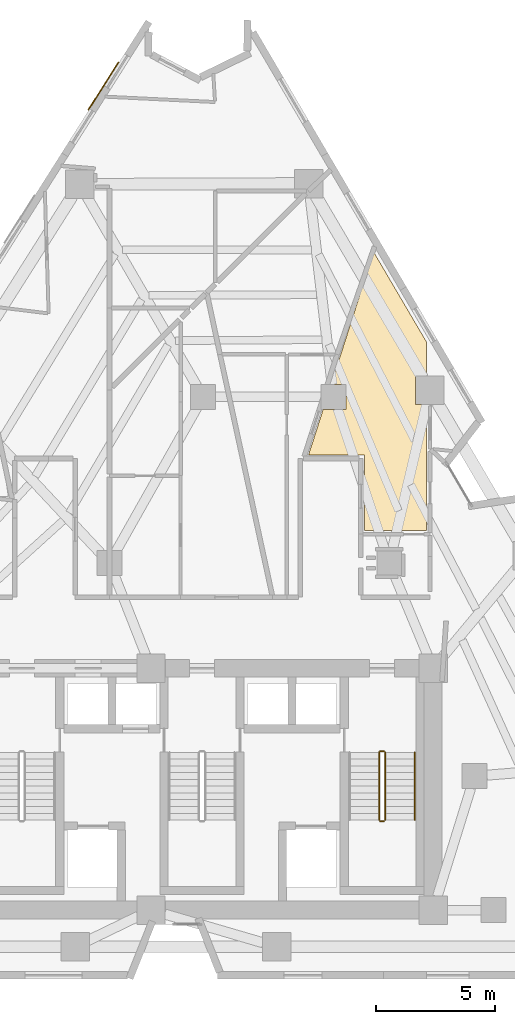
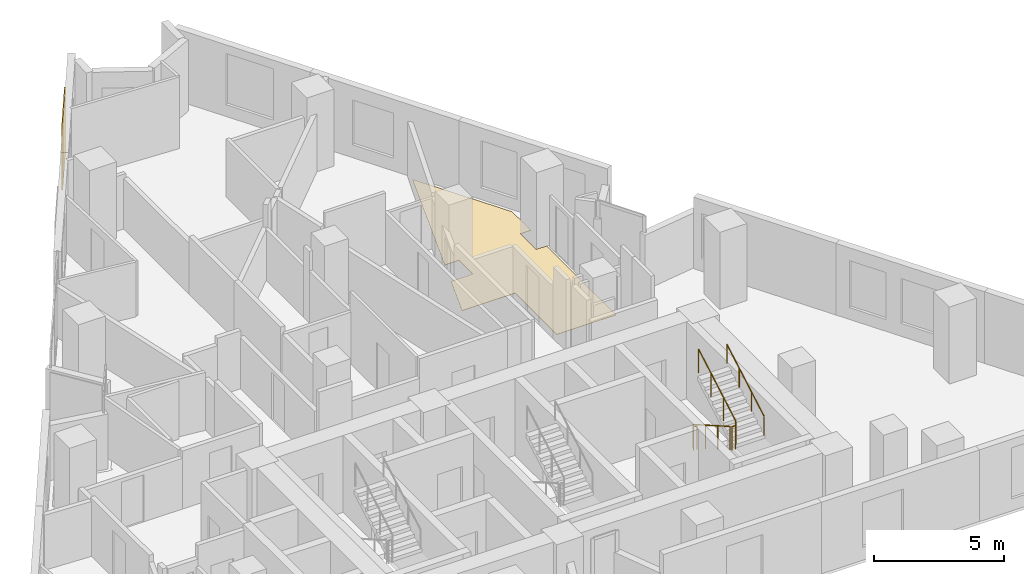
# One storey, part 12 of 12: 5 railings, 2 coverings.
"""IFC4 building model written with IfcOpenShell, lengths in metres."""

from ifc_helpers import new_model, si_unit, direction, frame, origin, origin_2d, place, context, subcontext, project, spatial, polyline, rectangle, circle, outline, extrude, material, layer, layer_set, type_object, element, save


model = new_model("IFC4")

# Units and contexts
model_context = context("Model", 3, precision=1e-05, world=origin(), true_north=direction((0.0, 1.0)))
body_context = subcontext(model_context, "Body", "Model", "MODEL_VIEW")
ifc_project = project(units=[si_unit("LENGTHUNIT", "METRE"), si_unit("AREAUNIT", "SQUARE_METRE"), si_unit("VOLUMEUNIT", "CUBIC_METRE"), si_unit("PLANEANGLEUNIT", "RADIAN"), si_unit("MASSUNIT", "GRAM", prefix="KILO")], contexts=[model_context])

# Site, building, storey
site_placement = place(None, origin())
site = spatial("IfcSite", under=ifc_project, at=site_placement, CompositionType="ELEMENT")
building_placement = place(site_placement, origin())
building = spatial("IfcBuilding", under=site, at=building_placement, Name="Almagre Mirador Tower", CompositionType="ELEMENT")
storey_placement = place(building_placement, frame((0.0, 0.0, 114.0)))
storey = spatial("IfcBuildingStorey", under=building, at=storey_placement, Name="L28", CompositionType="ELEMENT", Elevation=114.0)

# Coverings
ifc_material_1 = material(Name="Almagre terracotta architectural cladding", Category="masonry")
ifc_layer_1 = layer(ifc_material_1, 0.044921875)
ifc_layer_set_1 = layer_set([ifc_layer_1], Name="Almagre terracotta architectural cladding")
covering_type_1 = type_object("IfcCoveringType", Name="COV-CLAD-ALMAGRE", PredefinedType="CLADDING", material=ifc_layer_set_1)
covering_1_placement = place(storey_placement, frame((33.14111328125, 39.309814453125, 0.10009765625), z_axis=(0.0, 0.0, 1.0), x_axis=(0.534883337551, 0.844925922913, 0.0)))
element("IfcCovering", 1, at=covering_1_placement, inside=storey, type_object=covering_type_1, Name="L28 almagre terracotta pier cladding", PredefinedType="CLADDING", context=body_context, shape_type="SweptSolid", body=[
    extrude(rectangle(XDim=2.39990234375, YDim=0.044921875, at=origin_2d()), origin(), (0.0, 0.0, 1.0), 3.14990234375),
])
ifc_material_2 = material(Name="Engineered white oak flooring", Category="wood")
ifc_layer_2 = layer(ifc_material_2, 0.01806640625)
ifc_layer_set_2 = layer_set([ifc_layer_2], Name="Engineered white oak flooring")
covering_type_2 = type_object("IfcCoveringType", Name="COV-FLR-OAK-18", PredefinedType="FLOORING", material=ifc_layer_set_2)
covering_2_placement = place(storey_placement, origin())
element("IfcCovering", 2, at=covering_2_placement, inside=storey, type_object=covering_type_2, Name="L28 Unit L28-H Living and Dining Room finish flooring", PredefinedType="FLOORING", context=body_context, shape_type="SweptSolid", body=[
    extrude(outline(polyline([(41.7958984375, 23.75), (42.410888671875, 25.669921875), (43.3798828125, 25.669921875), (43.3798828125, 26.72998046875), (42.7509765625, 26.72998046875), (44.541015625, 32.31494140625), (46.15087890625, 29.573974609375), (46.77001953125, 28.51904296875), (46.77001953125, 27.0849609375), (46.31201171875, 27.0849609375), (46.31201171875, 25.875), (46.77001953125, 25.875), (46.77001953125, 20.56005859375), (44.14990234375, 20.56005859375), (44.14990234375, 23.75), (41.7958984375, 23.75)])), origin(), (0.0, 0.0, 1.0), 0.01806640625),
])

# Railings
ifc_material_3 = material(Name="Painted galvanized steel", Category="steel")
railing_type_1 = type_object("IfcRailingType", Name="RLG-GRD-1100", PredefinedType="GUARDRAIL", material=ifc_material_3)
railing_1_placement = place(storey_placement, frame((44.77490234375, 11.199951171875, 0.16357421875)))
element("IfcRailing", 3, at=railing_1_placement, inside=storey, type_object=railing_type_1, Name="L28 ST-3 stair guard 1", PredefinedType="GUARDRAIL", context=body_context, shape_type="SweptSolid", body=[
    extrude(circle(Radius=0.02392578125, at=origin_2d()), frame((0.0, 0.0, 1.09619140625), z_axis=(0.0, -0.867194282975, 0.497969954491), x_axis=(1.0, 0.0, 0.0)), (0.0, 0.0, 1.0), 3.286376953125),
    extrude(circle(Radius=0.02099609375, at=origin_2d()), origin(), (0.0, 0.0, 1.0), 1.072021484375),
    extrude(circle(Radius=0.02099609375, at=origin_2d()), frame((0.0, -0.949951171875, 0.54541015625)), (0.0, 0.0, 1.0), 1.072021484375),
    extrude(circle(Radius=0.02099609375, at=origin_2d()), frame((0.0, -1.89990234375, 1.091064453125)), (0.0, 0.0, 1.0), 1.072021484375),
    extrude(circle(Radius=0.02099609375, at=origin_2d()), frame((0.0, -2.849853515625, 1.636474609375)), (0.0, 0.0, 1.0), 1.072021484375),
])
railing_2_placement = place(storey_placement, frame((44.824951171875, 8.300048828125, 1.800048828125)))
element("IfcRailing", 4, at=railing_2_placement, inside=storey, type_object=railing_type_1, Name="L28 ST-3 stair guard 2", PredefinedType="GUARDRAIL", context=body_context, shape_type="SweptSolid", body=[
    extrude(circle(Radius=0.02392578125, at=origin_2d()), frame((0.0, 0.0, 1.09619140625), z_axis=(1.0, 0.0, 0.0), x_axis=(0.0, 1.0, 0.0)), (0.0, 0.0, 1.0), 0.150146484375),
    extrude(circle(Radius=0.02099609375, at=origin_2d()), origin(), (0.0, 0.0, 1.0), 1.072021484375),
    extrude(circle(Radius=0.02099609375, at=origin_2d()), frame((0.150146484375, 0.0, 0.0)), (0.0, 0.0, 1.0), 1.072021484375),
])
railing_3_placement = place(storey_placement, frame((45.02490234375, 8.35009765625, 1.963623046875)))
element("IfcRailing", 5, at=railing_3_placement, inside=storey, type_object=railing_type_1, Name="L28 ST-3 stair guard 3", PredefinedType="GUARDRAIL", context=body_context, shape_type="SweptSolid", body=[
    extrude(circle(Radius=0.02392578125, at=origin_2d()), frame((0.0, 0.0, 1.09619140625), z_axis=(0.0, 0.867194282975, 0.497969954491), x_axis=(-1.0, 0.0, 0.0)), (0.0, 0.0, 1.0), 3.286376953125),
    extrude(circle(Radius=0.02099609375, at=origin_2d()), origin(), (0.0, 0.0, 1.0), 1.072021484375),
    extrude(circle(Radius=0.02099609375, at=origin_2d()), frame((0.0, 0.949951171875, 0.54541015625)), (0.0, 0.0, 1.0), 1.072021484375),
    extrude(circle(Radius=0.02099609375, at=origin_2d()), frame((0.0, 1.89990234375, 1.091064453125)), (0.0, 0.0, 1.0), 1.072021484375),
    extrude(circle(Radius=0.02099609375, at=origin_2d()), frame((0.0, 2.849853515625, 1.636474609375)), (0.0, 0.0, 1.0), 1.072021484375),
])
railing_4_placement = place(storey_placement, frame((44.824951171875, 11.25, 0.0)))
element("IfcRailing", 6, at=railing_4_placement, inside=storey, type_object=railing_type_1, Name="L28 ST-3 stair guard 4", PredefinedType="GUARDRAIL", context=body_context, shape_type="SweptSolid", body=[
    extrude(circle(Radius=0.02392578125, at=origin_2d()), frame((0.0, 0.0, 1.09619140625), z_axis=(1.0, 0.0, 0.0), x_axis=(0.0, 1.0, 0.0)), (0.0, 0.0, 1.0), 0.150146484375),
    extrude(circle(Radius=0.02099609375, at=origin_2d()), origin(), (0.0, 0.0, 1.0), 1.072021484375),
    extrude(circle(Radius=0.02099609375, at=origin_2d()), frame((0.150146484375, 0.0, 0.0)), (0.0, 0.0, 1.0), 1.072021484375),
])
ifc_material_4 = material(Name="Brushed stainless steel", Category="steel")
railing_type_2 = type_object("IfcRailingType", Name="RLG-HND-915", PredefinedType="HANDRAIL", material=ifc_material_4)
railing_5_placement = place(storey_placement, frame((46.27490234375, 8.35009765625, 1.963623046875)))
element("IfcRailing", 7, at=railing_5_placement, inside=storey, type_object=railing_type_2, Name="L28 ST-3 stair handrail 2", PredefinedType="HANDRAIL", context=body_context, shape_type="SweptSolid", body=[
    extrude(circle(Radius=0.02392578125, at=origin_2d()), frame((0.0, 0.0, 0.89111328125), z_axis=(0.0, 0.867194282975, 0.497969954491), x_axis=(-1.0, 0.0, 0.0)), (0.0, 0.0, 1.0), 3.286376953125),
    extrude(circle(Radius=0.02099609375, at=origin_2d()), origin(), (0.0, 0.0, 1.0), 0.866943359375),
    extrude(circle(Radius=0.02099609375, at=origin_2d()), frame((0.0, 0.949951171875, 0.54541015625)), (0.0, 0.0, 1.0), 0.866943359375),
    extrude(circle(Radius=0.02099609375, at=origin_2d()), frame((0.0, 1.89990234375, 1.091064453125)), (0.0, 0.0, 1.0), 0.866943359375),
    extrude(circle(Radius=0.02099609375, at=origin_2d()), frame((0.0, 2.849853515625, 1.636474609375)), (0.0, 0.0, 1.0), 0.866943359375),
])

save(model, "model.ifc")
